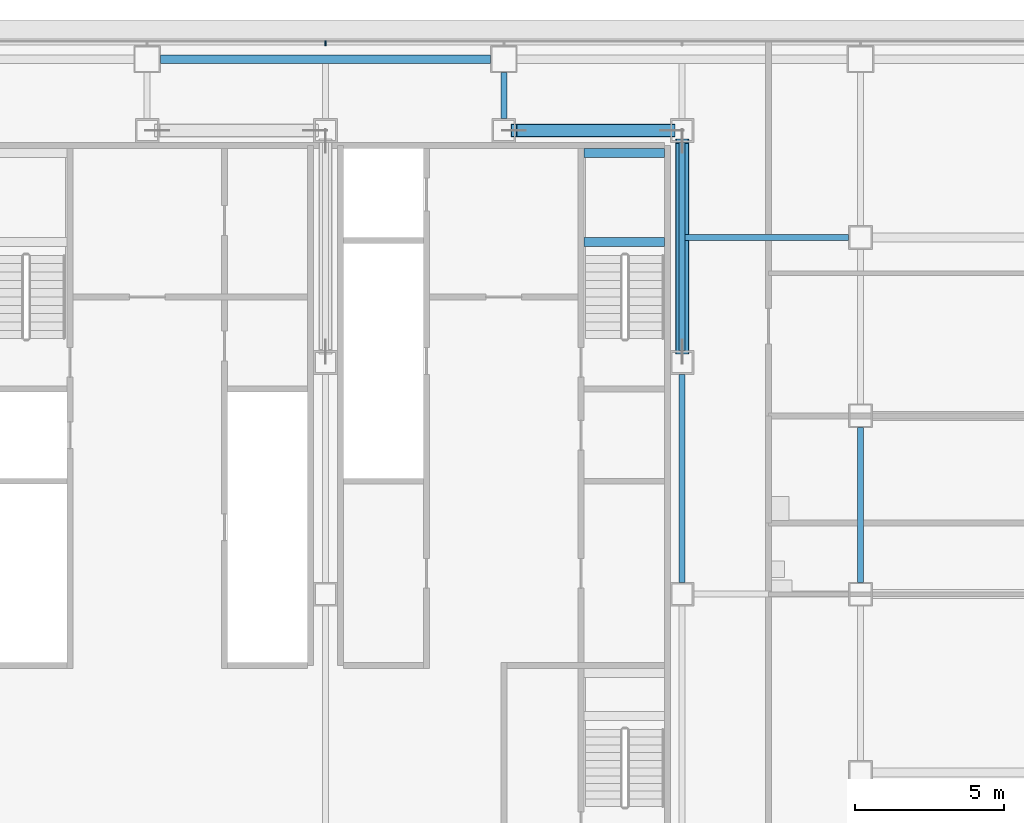
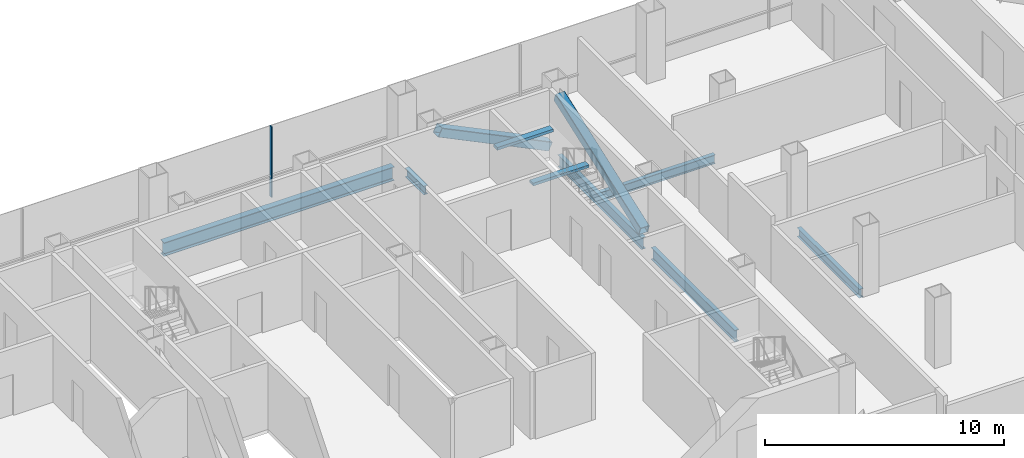
# One storey, part 13 of 27: 8 beams, 3 members, 1 element without a shape of its own.
"""IFC4 building model written with IfcOpenShell, lengths in metres."""

from ifc_helpers import new_model, si_unit, direction, frame, origin, origin_2d, place, context, subcontext, project, spatial, rectangle, hollow_rectangle, i_section, extrude, material, material_profile, profile_set, type_object, element, aggregate, save


model = new_model("IFC4")

# Units and contexts
model_context = context("Model", 3, precision=1e-05, world=origin(), true_north=direction((0.0, 1.0)))
body_context = subcontext(model_context, "Body", "Model", "MODEL_VIEW")
ifc_project = project(units=[si_unit("LENGTHUNIT", "METRE"), si_unit("AREAUNIT", "SQUARE_METRE"), si_unit("VOLUMEUNIT", "CUBIC_METRE"), si_unit("PLANEANGLEUNIT", "RADIAN"), si_unit("MASSUNIT", "GRAM", prefix="KILO")], contexts=[model_context])

# Site, building, storey
site_placement = place(None, origin())
site = spatial("IfcSite", under=ifc_project, at=site_placement, CompositionType="ELEMENT")
building_placement = place(site_placement, origin())
building = spatial("IfcBuilding", under=site, at=building_placement, Name="Sorahane Residences", CompositionType="ELEMENT")
storey_placement = place(building_placement, frame((0.0, 0.0, 75.0)))
storey = spatial("IfcBuildingStorey", under=building, at=storey_placement, Name="L15", CompositionType="ELEMENT", Elevation=75.0)

# Members
ifc_material_1 = material(Name="Steel Q355B", Category="steel")
ifc_material_profile_1 = material_profile(ifc_material_1, hollow_rectangle(XDim=0.449951171875, YDim=0.449951171875, WallThickness=0.02197265625, InnerFilletRadius=0.010986328125, OuterFilletRadius=0.032958984375, at=origin_2d()), Name="RHS 450x450x22")
ifc_profile_set_1 = profile_set([ifc_material_profile_1], Name="Steel Q355B")
member_type_1 = type_object("IfcMemberType", Name="Core brace RHS 450x450x22 Q355B", PredefinedType="BRACE", material=ifc_profile_set_1)
member_1_placement = place(storey_placement, frame((41.658935546875, 45.60009765625, 0.196533203125), z_axis=(-0.899910905173, 0.0, 0.436073804247), x_axis=(0.0, -1.0, 0.0)))
element("IfcMember", 1, at=member_1_placement, inside=storey, type_object=member_type_1, Name="Core brace L15 y45.6-6", PredefinedType="BRACE", context=body_context, shape_type="SweptSolid", body=[
    extrude(hollow_rectangle(XDim=0.449951171875, YDim=0.449951171875, WallThickness=0.02197265625, InnerFilletRadius=0.010986328125, OuterFilletRadius=0.032958984375, at=origin_2d()), origin(), (0.0, 0.0, 1.0), 5.909423828125),
])
member_2_placement = place(storey_placement, frame((42.0, 38.154296875, 0.20849609375), z_axis=(0.0, 0.940882869443, 0.338732085856), x_axis=(-1.0, 0.0, 0.0)))
element("IfcMember", 2, at=member_2_placement, inside=storey, type_object=member_type_1, Name="Core brace L15 x42-3", PredefinedType="BRACE", context=body_context, shape_type="SweptSolid", body=[
    extrude(hollow_rectangle(XDim=0.449951171875, YDim=0.449951171875, WallThickness=0.02197265625, InnerFilletRadius=0.010986328125, OuterFilletRadius=0.032958984375, at=origin_2d()), origin(), (0.0, 0.0, 1.0), 7.536865234375),
])

# Curtain wall, member
ifc_material_2 = material(Name="Dark low-e glass and black anodised aluminium", Category="aluminium")
curtain_wall_type = type_object("IfcCurtainWallType", Name="Curtain wall CW-1 Typical unitised wall", PredefinedType="NOTDEFINED", material=ifc_material_2)
curtain_wall_placement = place(storey_placement, origin())
curtain_wall = element("IfcCurtainWall", 3, at=curtain_wall_placement, inside=storey, type_object=curtain_wall_type, Name="CW-1 curtain wall L15 N1", PredefinedType="NOTDEFINED")
ifc_material_3 = material(Name="Black anodised aluminium", Category="aluminium")
ifc_material_profile_2 = material_profile(ifc_material_3, rectangle(XDim=0.159912109375, YDim=0.050048828125, at=origin_2d()), Name="Curtain wall mullion CW-1 black anodised aluminium 50x160")
ifc_profile_set_2 = profile_set([ifc_material_profile_2], Name="Black anodised aluminium")
member_type_2 = type_object("IfcMemberType", Name="Curtain wall mullion CW-1 black anodised aluminium 50x160", PredefinedType="MULLION", material=ifc_profile_set_2)
member_3_placement = place(storey_placement, frame((30.0, 48.5400390625, -0.179931640625), z_axis=(0.0, 0.0, 1.0), x_axis=(0.0, 1.0, 0.0)))
member_3 = element("IfcMember", 4, at=member_3_placement, type_object=member_type_2, Name="CW-1 mullion L15 N1.6", PredefinedType="MULLION", context=body_context, shape_type="SweptSolid", body=[
    extrude(rectangle(XDim=0.159912109375, YDim=0.050048828125, at=origin_2d()), origin(), (0.0, 0.0, 1.0), 3.599853515625),
])
aggregate(curtain_wall, [member_3])

# Beams
ifc_material_4 = material(Name="Concrete C40", Category="concrete")
ifc_material_profile_3 = material_profile(ifc_material_4, rectangle(XDim=0.300048828125, YDim=0.139892578125, at=origin_2d()), Name="300x140")
ifc_profile_set_3 = profile_set([ifc_material_profile_3], Name="Concrete C40")
beam_type_1 = type_object("IfcBeamType", Name="RC landing beam 300 x 140 Concrete C40", PredefinedType="BEAM", material=ifc_profile_set_3)
for number, where, z_axis, x_axis, name in (
    (5, (38.699951171875, 41.85009765625, 1.530029296875), (1.0, 0.0, 0.0), (0.0, 1.0, 0.0), "Landing beam"),
    (6, (38.699951171875, 44.85009765625, 1.530029296875), (1.0, 0.0, 0.0), (0.0, 1.0, 0.0), "Landing beam"),
):
    element("IfcBeam", number, at=place(storey_placement, frame(where, z_axis=z_axis, x_axis=x_axis)), inside=storey, type_object=beam_type_1, Name=name, PredefinedType="BEAM", context=body_context, shape_type="SweptSolid", body=[
        extrude(rectangle(XDim=0.300048828125, YDim=0.139892578125, at=origin_2d()), origin(), (0.0, 0.0, 1.0), 2.699951171875),
    ])
ifc_material_5 = material(Name="Steel Q355B", Category="steel")
ifc_material_profile_4 = material_profile(ifc_material_5, i_section(OverallWidth=0.199951171875, OverallDepth=0.449951171875, WebThickness=0.009033203125, FlangeThickness=0.013916015625, FilletRadius=0.02001953125, at=origin_2d()), Name="HN 450x200x9x14")
ifc_profile_set_4 = profile_set([ifc_material_profile_4], Name="Steel Q355B")
beam_type_2 = type_object("IfcBeamType", Name="Steel floor beam HN 450x200x9x14 Q355B", PredefinedType="BEAM", material=ifc_profile_set_4)
beam_1_placement = place(storey_placement, frame((36.0, 46.0, -0.405029296875), z_axis=(0.0, 1.0, 0.0), x_axis=(-1.0, 0.0, 0.0)))
element("IfcBeam", 7, at=beam_1_placement, inside=storey, type_object=beam_type_2, Name="Beam L15 044", PredefinedType="BEAM", context=body_context, shape_type="SweptSolid", body=[
    extrude(i_section(OverallWidth=0.199951171875, OverallDepth=0.449951171875, WebThickness=0.009033203125, FlangeThickness=0.013916015625, FilletRadius=0.02001953125, at=origin_2d()), origin(), (0.0, 0.0, 1.0), 1.550048828125),
])
beam_2_placement = place(storey_placement, frame((48.0, 30.39990234375, -0.405029296875), z_axis=(0.0, 1.0, 0.0), x_axis=(-1.0, 0.0, 0.0)))
element("IfcBeam", 8, at=beam_2_placement, inside=storey, type_object=beam_type_2, Name="Beam L15 054", PredefinedType="BEAM", context=body_context, shape_type="SweptSolid", body=[
    extrude(i_section(OverallWidth=0.199951171875, OverallDepth=0.449951171875, WebThickness=0.009033203125, FlangeThickness=0.013916015625, FilletRadius=0.02001953125, at=origin_2d()), origin(), (0.0, 0.0, 1.0), 5.2001953125),
])
beam_3_placement = place(storey_placement, frame((42.10009765625, 42.0, -0.405029296875), z_axis=(1.0, 0.0, 0.0), x_axis=(0.0, 1.0, 0.0)))
element("IfcBeam", 9, at=beam_3_placement, inside=storey, type_object=beam_type_2, Name="Beam L15 080", PredefinedType="BEAM", context=body_context, shape_type="SweptSolid", body=[
    extrude(i_section(OverallWidth=0.199951171875, OverallDepth=0.449951171875, WebThickness=0.009033203125, FlangeThickness=0.013916015625, FilletRadius=0.02001953125, at=origin_2d()), origin(), (0.0, 0.0, 1.0), 5.5),
])
ifc_material_6 = material(Name="Steel Q355B", Category="steel")
ifc_material_profile_5 = material_profile(ifc_material_6, i_section(OverallWidth=0.199951171875, OverallDepth=0.60009765625, WebThickness=0.010986328125, FlangeThickness=0.01708984375, FilletRadius=0.02392578125, at=origin_2d()), Name="HN 600x200x11x17")
ifc_profile_set_5 = profile_set([ifc_material_profile_5], Name="Steel Q355B")
beam_type_3 = type_object("IfcBeamType", Name="Steel floor beam HN 600x200x11x17 Q355B", PredefinedType="BEAM", material=ifc_profile_set_5)
for number, where, z_axis, x_axis, name in (
    (10, (42.0, 30.39990234375, -0.47998046875), (0.0, 1.0, 0.0), (-1.0, 0.0, 0.0), "Beam L15 048"),
    (11, (42.0, 38.199951171875, -0.47998046875), (0.0, 1.0, 0.0), (-1.0, 0.0, 0.0), "Beam L15 049"),
):
    element("IfcBeam", number, at=place(storey_placement, frame(where, z_axis=z_axis, x_axis=x_axis)), inside=storey, type_object=beam_type_3, Name=name, PredefinedType="BEAM", context=body_context, shape_type="SweptSolid", body=[
        extrude(i_section(OverallWidth=0.199951171875, OverallDepth=0.60009765625, WebThickness=0.010986328125, FlangeThickness=0.01708984375, FilletRadius=0.02392578125, at=origin_2d()), origin(), (0.0, 0.0, 1.0), 7.0),
    ])
ifc_material_7 = material(Name="Steel Q355B", Category="steel")
ifc_material_profile_6 = material_profile(ifc_material_7, i_section(OverallWidth=0.300048828125, OverallDepth=0.699951171875, WebThickness=0.012939453125, FlangeThickness=0.02392578125, FilletRadius=0.028076171875, at=origin_2d()), Name="HN 700x300x13x24")
ifc_profile_set_6 = profile_set([ifc_material_profile_6], Name="Steel Q355B")
beam_type_4 = type_object("IfcBeamType", Name="Steel floor beam HN 700x300x13x24 Q355B", PredefinedType="BEAM", material=ifc_profile_set_6)
beam_4_placement = place(storey_placement, frame((24.449951171875, 48.0, -0.530029296875), z_axis=(1.0, 0.0, 0.0), x_axis=(0.0, 1.0, 0.0)))
element("IfcBeam", 12, at=beam_4_placement, inside=storey, type_object=beam_type_4, Name="Beam L15 014", PredefinedType="BEAM", context=body_context, shape_type="SweptSolid", body=[
    extrude(i_section(OverallWidth=0.300048828125, OverallDepth=0.699951171875, WebThickness=0.012939453125, FlangeThickness=0.02392578125, FilletRadius=0.028076171875, at=origin_2d()), origin(), (0.0, 0.0, 1.0), 11.10009765625),
])

save(model, "model.ifc")
